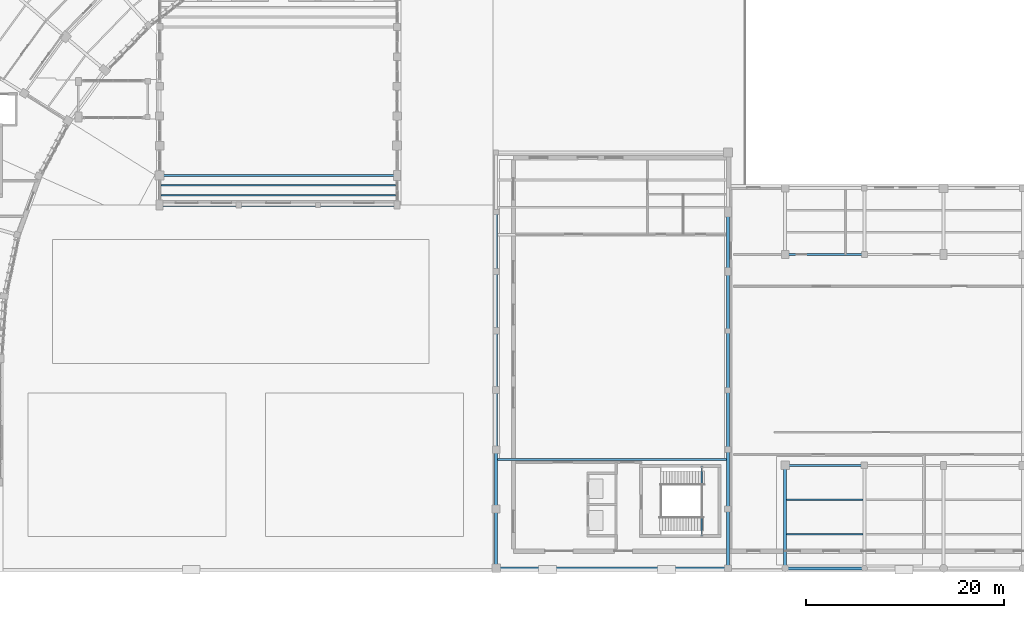
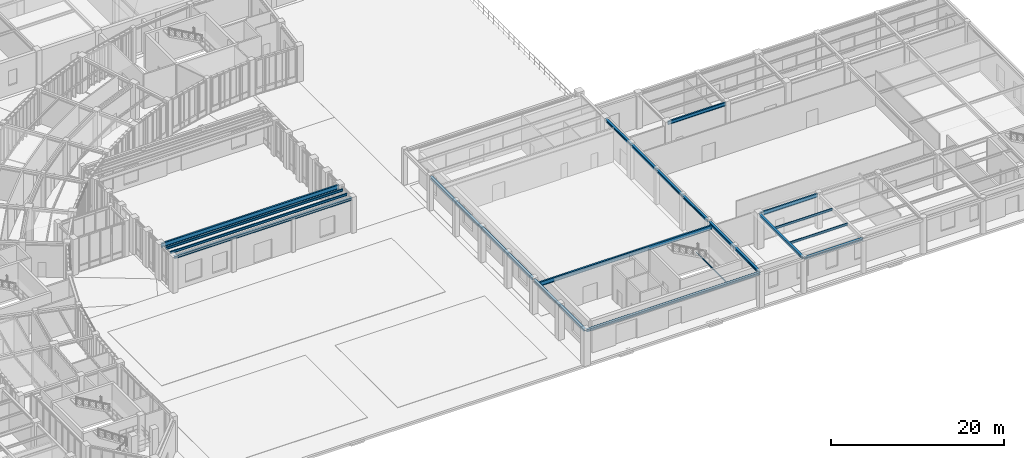
# One storey, part 11 of 68: 16 beams, 1 member.
"""IFC4 building model written with IfcOpenShell, lengths in metres."""

from ifc_helpers import new_model, si_unit, direction, frame, origin, origin_2d, place, context, subcontext, project, spatial, hollow_rectangle, i_section, extrude, material, material_profile, profile_set, type_object, element, save


model = new_model("IFC4")

# Units and contexts
model_context = context("Model", 3, precision=1e-05, world=origin(), true_north=direction((0.0, 1.0)))
body_context = subcontext(model_context, "Body", "Model", "MODEL_VIEW")
ifc_project = project(units=[si_unit("LENGTHUNIT", "METRE"), si_unit("AREAUNIT", "SQUARE_METRE"), si_unit("VOLUMEUNIT", "CUBIC_METRE"), si_unit("PLANEANGLEUNIT", "RADIAN"), si_unit("MASSUNIT", "GRAM", prefix="KILO"), si_unit("THERMODYNAMICTEMPERATUREUNIT", "KELVIN"), si_unit("POWERUNIT", "WATT")], contexts=[model_context])

# Site, building, storey
site_placement = place(None, origin())
site = spatial("IfcSite", under=ifc_project, at=site_placement, CompositionType="ELEMENT")
building_placement = place(site_placement, origin())
building = spatial("IfcBuilding", under=site, at=building_placement, Name="Solvatero Civic Police Headquarters", CompositionType="ELEMENT")
storey_placement = place(building_placement, origin())
storey = spatial("IfcBuildingStorey", under=building, at=storey_placement, Name="L00", CompositionType="ELEMENT", Elevation=0.0)

# Beams
ifc_material = material(Name="Steel S355", Category="steel")
ifc_material_profile_1 = material_profile(ifc_material, i_section(OverallWidth=0.300048828125, OverallDepth=0.31005859375, WebThickness=0.009033203125, FlangeThickness=0.015380859375, FilletRadius=0.027099609375, at=origin_2d()), Name="HEA 320")
ifc_profile_set_1 = profile_set([ifc_material_profile_1], Name="Steel S355")
beam_type_1 = type_object("IfcBeamType", Name="BM-ST-HEA320", PredefinedType="SPANDREL", material=ifc_profile_set_1)
beam_1_placement = place(storey_placement, frame((128.10009765625, 4.800048828125, 4.72509765625), z_axis=(1.0, 0.0, 0.0), x_axis=(0.0, 1.0, 0.0)))
element("IfcBeam", 1, at=beam_1_placement, inside=storey, type_object=beam_type_1, Name="Perimeter / radial spandrel beam BM-R2-L00-V3-GX-1-1", PredefinedType="SPANDREL", context=body_context, shape_type="SweptSolid", body=[
    extrude(i_section(OverallWidth=0.300048828125, OverallDepth=0.31005859375, WebThickness=0.009033203125, FlangeThickness=0.015380859375, FilletRadius=0.027099609375, at=origin_2d()), origin(), (0.0, 0.0, 1.0), 7.7998046875),
])
beam_2_placement = place(storey_placement, frame((128.0, 4.9599609375, 4.72509765625), z_axis=(0.0, 1.0, 0.0), x_axis=(-1.0, 0.0, 0.0)))
element("IfcBeam", 2, at=beam_2_placement, inside=storey, type_object=beam_type_1, Name="Perimeter / radial spandrel beam BM-R2-L00-V3-GY-1-1", PredefinedType="SPANDREL", context=body_context, shape_type="SweptSolid", body=[
    extrude(i_section(OverallWidth=0.300048828125, OverallDepth=0.31005859375, WebThickness=0.009033203125, FlangeThickness=0.015380859375, FilletRadius=0.027099609375, at=origin_2d()), origin(), (0.0, 0.0, 1.0), 10.080078125),
])
ifc_material_profile_2 = material_profile(ifc_material, i_section(OverallWidth=0.300048828125, OverallDepth=0.35009765625, WebThickness=0.010009765625, FlangeThickness=0.017578125, FilletRadius=0.027099609375, at=origin_2d()), Name="HEA 360")
ifc_profile_set_2 = profile_set([ifc_material_profile_2], Name="Steel S355")
beam_type_2 = type_object("IfcBeamType", Name="BM-ST-HEA360", PredefinedType="SPANDREL", material=ifc_profile_set_2)
beam_3_placement = place(storey_placement, frame((64.89990234375, 41.5, 4.705078125), z_axis=(1.0, 0.0, 0.0), x_axis=(0.0, 1.0, 0.0)))
element("IfcBeam", 3, at=beam_3_placement, inside=storey, type_object=beam_type_2, Name="Perimeter / radial spandrel beam BM-R2-L00-V2-GX-1-1", PredefinedType="SPANDREL", context=body_context, shape_type="SweptSolid", body=[
    extrude(i_section(OverallWidth=0.300048828125, OverallDepth=0.35009765625, WebThickness=0.010009765625, FlangeThickness=0.017578125, FilletRadius=0.027099609375, at=origin_2d()), origin(), (0.0, 0.0, 1.0), 23.800048828125),
])
beam_4_placement = place(storey_placement, frame((98.89990234375, 4.800048828125, 4.705078125), z_axis=(1.0, 0.0, 0.0), x_axis=(0.0, 1.0, 0.0)))
element("IfcBeam", 4, at=beam_4_placement, inside=storey, type_object=beam_type_2, Name="Perimeter / radial spandrel beam BM-R2-L00-V1-GX-1-1", PredefinedType="SPANDREL", context=body_context, shape_type="SweptSolid", body=[
    extrude(i_section(OverallWidth=0.300048828125, OverallDepth=0.35009765625, WebThickness=0.010009765625, FlangeThickness=0.017578125, FilletRadius=0.027099609375, at=origin_2d()), origin(), (0.0, 0.0, 1.0), 23.2001953125),
])
beam_5_placement = place(storey_placement, frame((98.800048828125, 4.9599609375, 4.705078125), z_axis=(0.0, 1.0, 0.0), x_axis=(-1.0, 0.0, 0.0)))
element("IfcBeam", 5, at=beam_5_placement, inside=storey, type_object=beam_type_2, Name="Perimeter / radial spandrel beam BM-R2-L00-V1-GY-1-1", PredefinedType="SPANDREL", context=body_context, shape_type="SweptSolid", body=[
    extrude(i_section(OverallWidth=0.300048828125, OverallDepth=0.35009765625, WebThickness=0.010009765625, FlangeThickness=0.017578125, FilletRadius=0.027099609375, at=origin_2d()), origin(), (0.0, 0.0, 1.0), 11.679931640625),
])
beam_6_placement = place(storey_placement, frame((98.800048828125, 16.9599609375, 4.705078125), z_axis=(0.0, 1.0, 0.0), x_axis=(-1.0, 0.0, 0.0)))
element("IfcBeam", 6, at=beam_6_placement, inside=storey, type_object=beam_type_2, Name="Perimeter / radial spandrel beam BM-R2-L00-V1-GY-1-2", PredefinedType="SPANDREL", context=body_context, shape_type="SweptSolid", body=[
    extrude(i_section(OverallWidth=0.300048828125, OverallDepth=0.35009765625, WebThickness=0.010009765625, FlangeThickness=0.017578125, FilletRadius=0.027099609375, at=origin_2d()), origin(), (0.0, 0.0, 1.0), 23.679931640625),
])
beam_7_placement = place(storey_placement, frame((122.199951171875, 4.9599609375, 4.705078125), z_axis=(0.0, 1.0, 0.0), x_axis=(-1.0, 0.0, 0.0)))
element("IfcBeam", 7, at=beam_7_placement, inside=storey, type_object=beam_type_2, Name="Perimeter / radial spandrel beam BM-R2-L00-V1-GY-2-1", PredefinedType="SPANDREL", context=body_context, shape_type="SweptSolid", body=[
    extrude(i_section(OverallWidth=0.300048828125, OverallDepth=0.35009765625, WebThickness=0.010009765625, FlangeThickness=0.017578125, FilletRadius=0.027099609375, at=origin_2d()), origin(), (0.0, 0.0, 1.0), 11.679931640625),
])
beam_8_placement = place(storey_placement, frame((122.199951171875, 16.9599609375, 4.705078125), z_axis=(0.0, 1.0, 0.0), x_axis=(-1.0, 0.0, 0.0)))
element("IfcBeam", 8, at=beam_8_placement, inside=storey, type_object=beam_type_2, Name="Perimeter / radial spandrel beam BM-R2-L00-V1-GY-2-2", PredefinedType="SPANDREL", context=body_context, shape_type="SweptSolid", body=[
    extrude(i_section(OverallWidth=0.300048828125, OverallDepth=0.35009765625, WebThickness=0.010009765625, FlangeThickness=0.017578125, FilletRadius=0.027099609375, at=origin_2d()), origin(), (0.0, 0.0, 1.0), 23.679931640625),
])
ifc_material_profile_3 = material_profile(ifc_material, i_section(OverallWidth=0.14990234375, OverallDepth=0.300048828125, WebThickness=0.007080078125, FlangeThickness=0.0107421875, FilletRadius=0.014892578125, at=origin_2d()), Name="IPE 300")
ifc_profile_set_3 = profile_set([ifc_material_profile_3], Name="Steel S355")
beam_type_3 = type_object("IfcBeamType", Name="BM-ST-IPE300", PredefinedType="BEAM", material=ifc_profile_set_3)
for number, where, z_axis, x_axis, name in (
    (9, (128.14990234375, 8.2666015625, 4.72998046875), (1.0, 0.0, 0.0), (0.0, 1.0, 0.0), "Composite floor beam BM-R2-L00-V3-SEC-1-1-S1"),
    (10, (128.14990234375, 11.7333984375, 4.72998046875), (1.0, 0.0, 0.0), (0.0, 1.0, 0.0), "Composite floor beam BM-R2-L00-V3-SEC-1-1-S2"),
):
    element("IfcBeam", number, at=place(storey_placement, frame(where, z_axis=z_axis, x_axis=x_axis)), inside=storey, type_object=beam_type_3, Name=name, PredefinedType="BEAM", context=body_context, shape_type="SweptSolid", body=[
        extrude(i_section(OverallWidth=0.14990234375, OverallDepth=0.300048828125, WebThickness=0.007080078125, FlangeThickness=0.0107421875, FilletRadius=0.014892578125, at=origin_2d()), origin(), (0.0, 0.0, 1.0), 7.7001953125),
    ])
ifc_material_profile_4 = material_profile(ifc_material, i_section(OverallWidth=0.159912109375, OverallDepth=0.330078125, WebThickness=0.007568359375, FlangeThickness=0.011474609375, FilletRadius=0.01806640625, at=origin_2d()), Name="IPE 330")
ifc_profile_set_4 = profile_set([ifc_material_profile_4], Name="Steel S355")
beam_type_4 = type_object("IfcBeamType", Name="BM-ST-IPE330", PredefinedType="BEAM", material=ifc_profile_set_4)
for number, where, z_axis, x_axis, name in (
    (11, (64.949951171875, 42.5, 4.715087890625), (1.0, 0.0, 0.0), (0.0, 1.0, 0.0), "Composite floor beam BM-R2-L00-V2-SEC-1-1-S1"),
    (12, (64.949951171875, 43.5, 4.715087890625), (1.0, 0.0, 0.0), (0.0, 1.0, 0.0), "Composite floor beam BM-R2-L00-V2-SEC-1-1-S2"),
):
    element("IfcBeam", number, at=place(storey_placement, frame(where, z_axis=z_axis, x_axis=x_axis)), inside=storey, type_object=beam_type_4, Name=name, PredefinedType="BEAM", context=body_context, shape_type="SweptSolid", body=[
        extrude(i_section(OverallWidth=0.159912109375, OverallDepth=0.330078125, WebThickness=0.007568359375, FlangeThickness=0.011474609375, FilletRadius=0.01806640625, at=origin_2d()), origin(), (0.0, 0.0, 1.0), 23.699951171875),
    ])
ifc_material_profile_5 = material_profile(ifc_material, i_section(OverallWidth=0.199951171875, OverallDepth=0.5, WebThickness=0.01025390625, FlangeThickness=0.01611328125, FilletRadius=0.02099609375, at=origin_2d()), Name="IPE 500")
ifc_profile_set_5 = profile_set([ifc_material_profile_5], Name="Steel S355")
beam_type_5 = type_object("IfcBeamType", Name="BM-ST-IPE500", PredefinedType="BEAM", material=ifc_profile_set_5)
for number, where, z_axis, x_axis, name in (
    (13, (128.10009765625, 15.199951171875, 4.6298828125), (1.0, 0.0, 0.0), (0.0, 1.0, 0.0), "Primary girder BM-R2-L00-V3-GX-1-2"),
    (14, (128.10009765625, 36.5, 4.6298828125), (1.0, 0.0, 0.0), (0.0, 1.0, 0.0), "Primary girder BM-R2-L00-V3-GX-1-3"),
):
    element("IfcBeam", number, at=place(storey_placement, frame(where, z_axis=z_axis, x_axis=x_axis)), inside=storey, type_object=beam_type_5, Name=name, PredefinedType="BEAM", context=body_context, shape_type="SweptSolid", body=[
        extrude(i_section(OverallWidth=0.199951171875, OverallDepth=0.5, WebThickness=0.01025390625, FlangeThickness=0.01611328125, FilletRadius=0.02099609375, at=origin_2d()), origin(), (0.0, 0.0, 1.0), 7.7998046875),
    ])
ifc_material_profile_6 = material_profile(ifc_material, i_section(OverallWidth=0.219970703125, OverallDepth=0.60009765625, WebThickness=0.011962890625, FlangeThickness=0.01904296875, FilletRadius=0.02392578125, at=origin_2d()), Name="IPE 600")
ifc_profile_set_6 = profile_set([ifc_material_profile_6], Name="Steel S355")
beam_type_6 = type_object("IfcBeamType", Name="BM-ST-IPE600", PredefinedType="BEAM", material=ifc_profile_set_6)
beam_9_placement = place(storey_placement, frame((64.89990234375, 44.5, 4.580078125), z_axis=(1.0, 0.0, 0.0), x_axis=(0.0, 1.0, 0.0)))
element("IfcBeam", 15, at=beam_9_placement, inside=storey, type_object=beam_type_6, Name="Primary girder BM-R2-L00-V2-GX-1-2", PredefinedType="BEAM", context=body_context, shape_type="SweptSolid", body=[
    extrude(i_section(OverallWidth=0.219970703125, OverallDepth=0.60009765625, WebThickness=0.011962890625, FlangeThickness=0.01904296875, FilletRadius=0.02392578125, at=origin_2d()), origin(), (0.0, 0.0, 1.0), 23.800048828125),
])
beam_10_placement = place(storey_placement, frame((98.951904296875, 15.800048828125, 4.580078125), z_axis=(1.0, 0.0, 0.0), x_axis=(0.0, 1.0, 0.0)))
element("IfcBeam", 16, at=beam_10_placement, inside=storey, type_object=beam_type_6, Name="Primary girder BM-R2-L00-V1-GX-1-2", PredefinedType="BEAM", context=body_context, shape_type="SweptSolid", body=[
    extrude(i_section(OverallWidth=0.219970703125, OverallDepth=0.60009765625, WebThickness=0.011962890625, FlangeThickness=0.01904296875, FilletRadius=0.02392578125, at=origin_2d()), origin(), (0.0, 0.0, 1.0), 23.09619140625),
])

# Member
ifc_material_profile_7 = material_profile(ifc_material, hollow_rectangle(XDim=0.10009765625, YDim=0.14990234375, WallThickness=0.00634765625, InnerFilletRadius=0.00634765625, OuterFilletRadius=0.0126953125, at=origin_2d()), Name="RHS 150x100x6.3")
ifc_profile_set_7 = profile_set([ifc_material_profile_7], Name="Steel S355")
member_type = type_object("IfcMemberType", Name="MB-BR-RHS150", PredefinedType="BRACE", material=ifc_profile_set_7)
member_placement = place(storey_placement, frame((119.56494140625, 8.080078125, 2.27490234375), z_axis=(0.0, 1.0, 0.0), x_axis=(-1.0, 0.0, 0.0)))
element("IfcMember", 17, at=member_placement, inside=storey, type_object=member_type, Name="ST-C5 L00 Landing Support Beam", PredefinedType="BRACE", context=body_context, shape_type="SweptSolid", body=[
    extrude(hollow_rectangle(XDim=0.10009765625, YDim=0.14990234375, WallThickness=0.00634765625, InnerFilletRadius=0.00634765625, OuterFilletRadius=0.0126953125, at=origin_2d()), origin(), (0.0, 0.0, 1.0), 7.0400390625),
])

save(model, "model.ifc")
